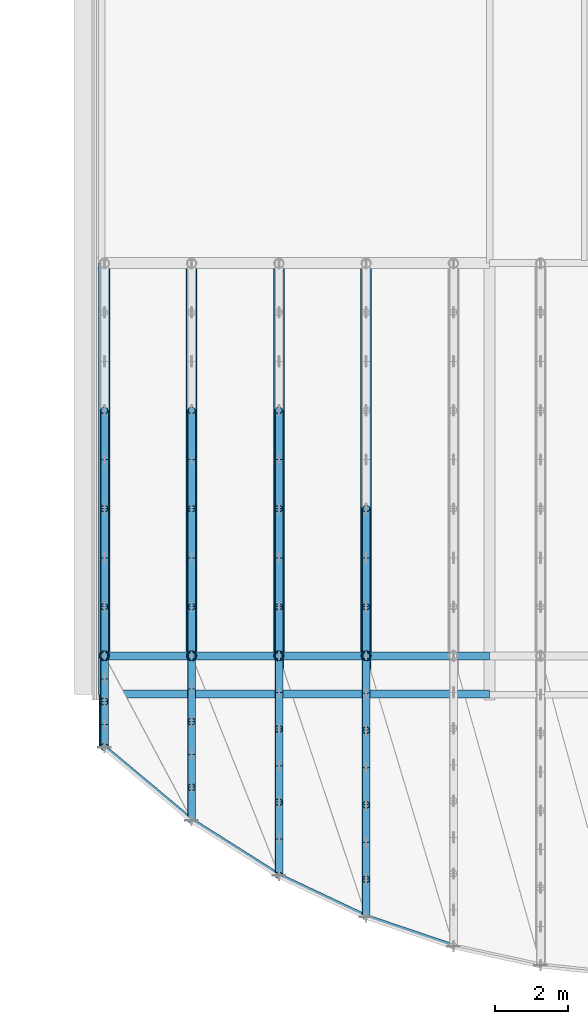
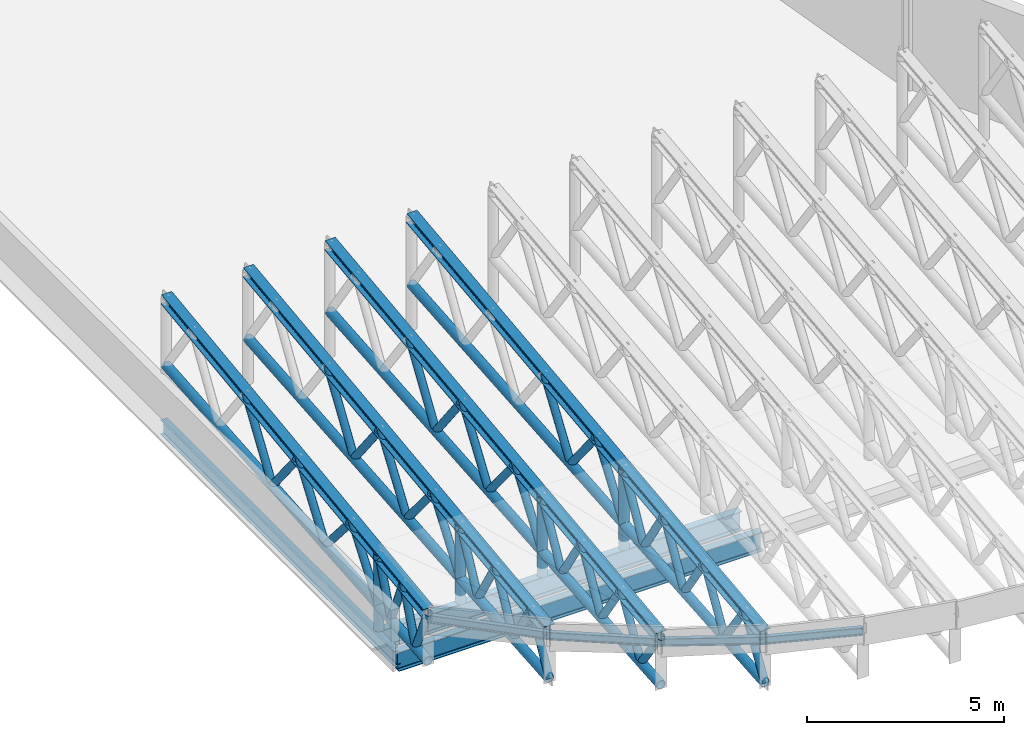
# One storey, part 11 of 58: 48 members, 11 beams.
"""IFC4 building model written with IfcOpenShell, lengths in metres."""

import ifcopenshell
import ifcopenshell.guid

model = None  # the IFC model being written
_history = None  # IfcOwnerHistory: only IFC2X3 demands one
_inside = {}  # id of a spatial element -> (the spatial element, [elements in it])
_under = {}  # id of a project, library or spatial element -> (it, [spatial elements below it])
_declared = {}  # id of a project -> (the project, [libraries it declares])
_typed = {}  # id of a type object -> (the type object, [elements of that type])
_made_of = {}  # id of a material, layer set ... -> (it, [elements and type objects made of it])


def new_model(schema):
    """Start an empty IFC model of exactly this schema.

    Asked for "IFC4X3", IfcOpenShell would pick the latest addendum, in which some entities
    have other attributes; the version numbers below select the first issue.
    IFC2X3 requires an IfcOwnerHistory on every rooted entity: one is made here for all.
    """
    global model, _history
    if schema == "IFC4X3":
        model = ifcopenshell.file(schema_version=(4, 3, 0, 0))
    else:
        model = ifcopenshell.file(schema=schema)
    _inside.clear()
    _under.clear()
    _declared.clear()
    _typed.clear()
    _made_of.clear()
    _history = None
    if model.schema == "IFC2X3":
        org = make("IfcOrganization", Name="unknown")
        user = make(
            "IfcPersonAndOrganization",
            ThePerson=make("IfcPerson", FamilyName="unknown"),
            TheOrganization=org,
        )
        app = make(
            "IfcApplication",
            ApplicationDeveloper=org,
            Version="unknown",
            ApplicationFullName="unknown",
            ApplicationIdentifier="unknown",
        )
        _history = make(
            "IfcOwnerHistory",
            OwningUser=user,
            OwningApplication=app,
            ChangeAction="ADDED",
            CreationDate=0,
        )
    return model


def make(cls, **values):
    """One entity of the class cls with the attributes given. An attribute that is None is left unset."""
    return model.create_entity(
        cls, **{name: value for name, value in values.items() if value is not None}
    )


def rooted(cls, **values):
    """An entity with a GlobalId (a new one), such as an element, a storey or a relation."""
    return make(cls, GlobalId=ifcopenshell.guid.new(), OwnerHistory=_history, **values)


def si_unit(unit_type, name, prefix=None):
    """IfcSIUnit, for example si_unit("LENGTHUNIT", "METRE", prefix="MILLI")."""
    return make("IfcSIUnit", UnitType=unit_type, Prefix=prefix, Name=name)


def assignment(units):
    """IfcUnitAssignment: the units of a project."""
    return None if units is None else make("IfcUnitAssignment", Units=units)


def point(xyz):
    """IfcCartesianPoint."""
    return None if xyz is None else make("IfcCartesianPoint", Coordinates=xyz)


def direction(xyz):
    """IfcDirection."""
    return None if xyz is None else make("IfcDirection", DirectionRatios=xyz)


def frame(location, z_axis=None, x_axis=None):
    """IfcAxis2Placement3D, a coordinate frame: its origin and axes. An axis left out is left unset."""
    return make(
        "IfcAxis2Placement3D",
        Location=point(location),
        Axis=direction(z_axis),
        RefDirection=direction(x_axis),
    )


def frame_2d(location, x_axis=None):
    """IfcAxis2Placement2D, a coordinate frame in the plane: its origin and x axis."""
    return make(
        "IfcAxis2Placement2D", Location=point(location), RefDirection=direction(x_axis)
    )


def origin():
    """The frame at (0, 0, 0) with its axes left unset."""
    return frame((0.0, 0.0, 0.0))


def origin_2d():
    """The frame at (0, 0) in the plane with its x axis left unset."""
    return frame_2d((0.0, 0.0))


def place(relative_to, where):
    """IfcLocalPlacement: puts the frame where relative to a parent placement (None: the world)."""
    return make(
        "IfcLocalPlacement", PlacementRelTo=relative_to, RelativePlacement=where
    )


def context(
    kind, dimensions, precision=None, world=None, true_north=None, identifier=None
):
    """IfcGeometricRepresentationContext, for example the 3D "Model" context."""
    return make(
        "IfcGeometricRepresentationContext",
        ContextIdentifier=identifier,
        ContextType=kind,
        CoordinateSpaceDimension=dimensions,
        Precision=precision,
        WorldCoordinateSystem=world,
        TrueNorth=true_north,
    )


def subcontext(parent, identifier, kind, view, scale=None):
    """IfcGeometricRepresentationSubContext, for example "Body" below "Model"."""
    return make(
        "IfcGeometricRepresentationSubContext",
        ContextIdentifier=identifier,
        ContextType=kind,
        ParentContext=parent,
        TargetScale=scale,
        TargetView=view,
    )


def project(units=None, contexts=None):
    """IfcProject with its units and contexts."""
    return rooted(
        "IfcProject",
        Name="project",
        RepresentationContexts=contexts,
        UnitsInContext=assignment(units),
    )


def spatial(cls, under=None, at=None, **own):
    """A site, building, storey or space (cls), placed at a placement, below another one or the project."""
    s = rooted(cls, ObjectPlacement=at, **own)
    if under is not None:
        _under.setdefault(under.id(), (under, []))[1].append(s)
    return s


def profile(cls, at=None, kind="AREA", **sizes):
    """A parametric profile (cls). Its sizes go by their IFC names, for example OverallWidth=200.0."""
    return make(cls, ProfileType=kind, Position=at, **sizes)


def hollow_circle(**sizes):
    """IfcCircleHollowProfileDef."""
    return profile("IfcCircleHollowProfileDef", **sizes)


def i_section(**sizes):
    """IfcIShapeProfileDef."""
    return profile("IfcIShapeProfileDef", **sizes)


def extrude(swept, where, along, depth):
    """IfcExtrudedAreaSolid: the profile swept, set in the frame where, extruded along a direction by depth."""
    return make(
        "IfcExtrudedAreaSolid",
        SweptArea=swept,
        Position=where,
        ExtrudedDirection=direction(along),
        Depth=depth,
    )


def shape(context_of_items, identifier, shape_type, items):
    """IfcShapeRepresentation: the items that make up one representation, for example the "Body"."""
    return make(
        "IfcShapeRepresentation",
        ContextOfItems=context_of_items,
        RepresentationIdentifier=identifier,
        RepresentationType=shape_type,
        Items=items,
    )


def material(Name=None, Category=None):
    """IfcMaterial."""
    return make("IfcMaterial", Name=Name, Category=Category)


def material_profile(
    of_material, cross_section, Name=None, Category=None, Priority=None
):
    """IfcMaterialProfile: a cross section and its material."""
    return make(
        "IfcMaterialProfile",
        Name=Name,
        Material=of_material,
        Profile=cross_section,
        Priority=Priority,
        Category=Category,
    )


def profile_set(profiles, Name=None, composite=None):
    """IfcMaterialProfileSet."""
    return make(
        "IfcMaterialProfileSet",
        Name=Name,
        MaterialProfiles=profiles,
        CompositeProfile=composite,
    )


def made_of(thing, what):
    """Note that an element or type object is made of a material, layer set ...; save() writes the relation."""
    if what is not None:
        _made_of.setdefault(what.id(), (what, []))[1].append(thing)
    return thing


def type_object(cls, material=None, **own):
    """A type object (cls), such as IfcWallType, which elements share."""
    return made_of(rooted(cls, **own), material)


def element(
    cls,
    number,
    at=None,
    inside=None,
    cuts=None,
    type_object=None,
    material=None,
    context=None,
    identifier="Body",
    shape_type=None,
    held_by="IfcProductDefinitionShape",
    body=None,
    shapes=None,
    **own,
):
    """One element of the class cls, such as IfcWall. Its Tag is "e" and its number.

    at: its placement. inside: the storey or other place that contains it. cuts: it is an
    opening in that element (IfcRelVoidsElement). A single representation is given by context,
    identifier, shape_type and body (its items); several are given by shapes. held_by: the class
    of the entity that holds the representations. save() writes the other relations.
    """
    e = rooted(cls, Tag="e%d" % number, ObjectPlacement=at, **own)
    if body is not None:
        shapes = [shape(context, identifier, shape_type, body)]
    if shapes is not None:
        e.Representation = make(held_by, Representations=shapes)
    if inside is not None:
        _inside.setdefault(inside.id(), (inside, []))[1].append(e)
    if cuts is not None:
        rooted(
            "IfcRelVoidsElement", RelatingBuildingElement=cuts, RelatedOpeningElement=e
        )
    if type_object is not None:
        _typed.setdefault(type_object.id(), (type_object, []))[1].append(e)
    return made_of(e, material)


def aggregate(whole, parts):
    """IfcRelAggregates: a whole, such as a stair, and the parts it consists of."""
    return rooted("IfcRelAggregates", RelatingObject=whole, RelatedObjects=parts)


def save(model, path):
    """Write the relations noted so far, then the file.

    IfcRelAggregates (storeys below a building ...), IfcRelContainedInSpatialStructure (elements
    in a storey), IfcRelDefinesByType, IfcRelAssociatesMaterial and IfcRelDeclares: one each for
    every whole, place, type object, material and project.
    """
    for whole, parts in _under.values():
        aggregate(whole, parts)
    for where, things in _inside.values():
        rooted(
            "IfcRelContainedInSpatialStructure",
            RelatedElements=things,
            RelatingStructure=where,
        )
    for kind, things in _typed.values():
        rooted("IfcRelDefinesByType", RelatedObjects=things, RelatingType=kind)
    for what, things in _made_of.values():
        rooted("IfcRelAssociatesMaterial", RelatedObjects=things, RelatingMaterial=what)
    for by, libraries in _declared.values():
        rooted("IfcRelDeclares", RelatingContext=by, RelatedDefinitions=libraries)
    model.write(path)


model = new_model("IFC4")

# Units and contexts
model_context = context("Model", 3, precision=1e-05, world=origin(), true_north=direction((0.0, 1.0)))
body_context = subcontext(model_context, "Body", "Model", "MODEL_VIEW")
ifc_project = project(units=[si_unit("LENGTHUNIT", "METRE"), si_unit("AREAUNIT", "SQUARE_METRE"), si_unit("VOLUMEUNIT", "CUBIC_METRE"), si_unit("PLANEANGLEUNIT", "RADIAN"), si_unit("MASSUNIT", "GRAM", prefix="KILO")], contexts=[model_context])

# Site, building, storey
site_placement = place(None, origin())
site = spatial("IfcSite", under=ifc_project, at=site_placement, CompositionType="ELEMENT")
building_placement = place(site_placement, origin())
building = spatial("IfcBuilding", under=site, at=building_placement, Name="Sefraquen Railside Congress Hotel", CompositionType="ELEMENT")
storey_placement = place(building_placement, frame((0.0, 0.0, 16.199951171875)))
storey = spatial("IfcBuildingStorey", under=building, at=storey_placement, Name="L03", CompositionType="ELEMENT", Elevation=16.199951171875)

# Beams
ifc_material_1 = material(Name="Steel S355JR", Category="steel")
ifc_material_profile_1 = material_profile(ifc_material_1, i_section(OverallWidth=0.18994140625, OverallDepth=0.449951171875, WebThickness=0.009521484375, FlangeThickness=0.0146484375, FilletRadius=0.02099609375, at=origin_2d()), Name="IPE 450")
ifc_profile_set_1 = profile_set([ifc_material_profile_1], Name="Steel S355JR")
beam_type_1 = type_object("IfcBeamType", Name="TB-BM-450", PredefinedType="BEAM", material=ifc_profile_set_1)
beam_1_placement = place(storey_placement, frame((22.328125, 6.128173828125, -0.5048828125), z_axis=(0.0, 1.0, 0.0), x_axis=(-1.0, 0.0, 0.0)))
element("IfcBeam", 1, at=beam_1_placement, inside=storey, type_object=beam_type_1, Name="Congress leaning-hull west edge beam L03-01", PredefinedType="BEAM", context=body_context, shape_type="SweptSolid", body=[
    extrude(i_section(OverallWidth=0.18994140625, OverallDepth=0.449951171875, WebThickness=0.009521484375, FlangeThickness=0.0146484375, FilletRadius=0.02099609375, at=origin_2d()), origin(), (0.0, 0.0, 1.0), 11.871826171875),
])
ifc_material_2 = material(Name="Steel S355J2", Category="steel")
ifc_material_profile_2 = material_profile(ifc_material_2, hollow_circle(Radius=0.136474609375, WallThickness=0.012451171875, at=origin_2d()), Name="CHS 273x12.5")
ifc_profile_set_2 = profile_set([ifc_material_profile_2], Name="Steel S355J2")
beam_type_2 = type_object("IfcBeamType", Name="TB-CANT-BOT", PredefinedType="BEAM", material=ifc_profile_set_2)
beam_2_placement = place(storey_placement, frame((22.39990234375, 18.0, 1.35009765625), z_axis=(0.0, -0.996597739239, -0.082419331132), x_axis=(1.0, 0.0, 0.0)))
element("IfcBeam", 2, at=beam_2_placement, inside=storey, type_object=beam_type_2, Name="Canopy cantilever truss continuous bottom chord 01", PredefinedType="BEAM", context=body_context, shape_type="SweptSolid", body=[
    extrude(hollow_circle(Radius=0.136474609375, WallThickness=0.012451171875, at=origin_2d()), origin(), (0.0, 0.0, 1.0), 13.359375),
])
beam_3_placement = place(storey_placement, frame((24.800048828125, 18.0, 1.35009765625), z_axis=(0.0, -0.99662492524, -0.082089940858), x_axis=(1.0, 0.0, 0.0)))
element("IfcBeam", 3, at=beam_3_placement, inside=storey, type_object=beam_type_2, Name="Canopy cantilever truss continuous bottom chord 02", PredefinedType="BEAM", context=body_context, shape_type="SweptSolid", body=[
    extrude(hollow_circle(Radius=0.136474609375, WallThickness=0.012451171875, at=origin_2d()), origin(), (0.0, 0.0, 1.0), 15.373046875),
])
beam_4_placement = place(storey_placement, frame((27.199951171875, 18.0, 1.35009765625), z_axis=(0.0, -0.996644006769, -0.081857948739), x_axis=(1.0, 0.0, 0.0)))
element("IfcBeam", 4, at=beam_4_placement, inside=storey, type_object=beam_type_2, Name="Canopy cantilever truss continuous bottom chord 03", PredefinedType="BEAM", context=body_context, shape_type="SweptSolid", body=[
    extrude(hollow_circle(Radius=0.136474609375, WallThickness=0.012451171875, at=origin_2d()), origin(), (0.0, 0.0, 1.0), 16.895751953125),
])
beam_5_placement = place(storey_placement, frame((29.60009765625, 18.0, 1.35009765625), z_axis=(0.0, -0.996653309501, -0.081744606311), x_axis=(1.0, 0.0, 0.0)))
element("IfcBeam", 5, at=beam_5_placement, inside=storey, type_object=beam_type_2, Name="Canopy cantilever truss continuous bottom chord 04", PredefinedType="BEAM", context=body_context, shape_type="SweptSolid", body=[
    extrude(hollow_circle(Radius=0.136474609375, WallThickness=0.012451171875, at=origin_2d()), origin(), (0.0, 0.0, 1.0), 18.033203125),
])
ifc_material_profile_3 = material_profile(ifc_material_1, i_section(OverallWidth=0.300048828125, OverallDepth=0.31005859375, WebThickness=0.009033203125, FlangeThickness=0.015380859375, FilletRadius=0.027099609375, at=origin_2d()), Name="HEA 320")
ifc_profile_set_3 = profile_set([ifc_material_profile_3], Name="Steel S355JR")
beam_type_3 = type_object("IfcBeamType", Name="TB-CANT-TOP", PredefinedType="BEAM", material=ifc_profile_set_3)
beam_6_placement = place(storey_placement, frame((22.39990234375, 18.0, 3.449951171875), z_axis=(0.0, -0.991937865042, -0.12672518256), x_axis=(1.0, 0.0, 0.0)))
element("IfcBeam", 6, at=beam_6_placement, inside=storey, type_object=beam_type_3, Name="Canopy cantilever truss continuous top chord 01", PredefinedType="BEAM", context=body_context, shape_type="SweptSolid", body=[
    extrude(i_section(OverallWidth=0.300048828125, OverallDepth=0.31005859375, WebThickness=0.009033203125, FlangeThickness=0.015380859375, FilletRadius=0.027099609375, at=origin_2d()), origin(), (0.0, 0.0, 1.0), 13.422119140625),
])
beam_7_placement = place(storey_placement, frame((24.800048828125, 18.0, 3.449951171875), z_axis=(0.0, -0.992697203153, -0.120632760278), x_axis=(1.0, 0.0, 0.0)))
element("IfcBeam", 7, at=beam_7_placement, inside=storey, type_object=beam_type_3, Name="Canopy cantilever truss continuous top chord 02", PredefinedType="BEAM", context=body_context, shape_type="SweptSolid", body=[
    extrude(i_section(OverallWidth=0.300048828125, OverallDepth=0.31005859375, WebThickness=0.009033203125, FlangeThickness=0.015380859375, FilletRadius=0.027099609375, at=origin_2d()), origin(), (0.0, 0.0, 1.0), 15.433837890625),
])
beam_8_placement = place(storey_placement, frame((27.199951171875, 18.0, 3.449951171875), z_axis=(0.0, -0.993138017923, -0.116948182355), x_axis=(1.0, 0.0, 0.0)))
element("IfcBeam", 8, at=beam_8_placement, inside=storey, type_object=beam_type_3, Name="Canopy cantilever truss continuous top chord 03", PredefinedType="BEAM", context=body_context, shape_type="SweptSolid", body=[
    extrude(i_section(OverallWidth=0.300048828125, OverallDepth=0.31005859375, WebThickness=0.009033203125, FlangeThickness=0.015380859375, FilletRadius=0.027099609375, at=origin_2d()), origin(), (0.0, 0.0, 1.0), 16.95556640625),
])
beam_9_placement = place(storey_placement, frame((29.60009765625, 18.0, 3.449951171875), z_axis=(0.0, -0.993407812942, -0.114633839615), x_axis=(1.0, 0.0, 0.0)))
element("IfcBeam", 9, at=beam_9_placement, inside=storey, type_object=beam_type_3, Name="Canopy cantilever truss continuous top chord 04", PredefinedType="BEAM", context=body_context, shape_type="SweptSolid", body=[
    extrude(i_section(OverallWidth=0.300048828125, OverallDepth=0.31005859375, WebThickness=0.009033203125, FlangeThickness=0.015380859375, FilletRadius=0.027099609375, at=origin_2d()), origin(), (0.0, 0.0, 1.0), 18.09228515625),
])
ifc_material_profile_4 = material_profile(ifc_material_1, i_section(OverallWidth=0.219970703125, OverallDepth=0.60009765625, WebThickness=0.011962890625, FlangeThickness=0.01904296875, FilletRadius=0.02392578125, at=origin_2d()), Name="IPE 600")
ifc_profile_set_4 = profile_set([ifc_material_profile_4], Name="Steel S355JR")
beam_type_4 = type_object("IfcBeamType", Name="TB-GIR-600", PredefinedType="T_BEAM", material=ifc_profile_set_4)
for number, where, z_axis, x_axis, name in (
    (10, (22.328125, 6.150390625, -0.579833984375), (1.0, 0.0, 0.0), (0.0, 1.0, 0.0), "Congress leaning-hull south edge beam L03-01"),
    (11, (22.328125, 7.199951171875, -0.579833984375), (1.0, 0.0, 0.0), (0.0, 1.0, 0.0), "Canopy L03 fulcrum header girder 01"),
):
    element("IfcBeam", number, at=place(storey_placement, frame(where, z_axis=z_axis, x_axis=x_axis)), inside=storey, type_object=beam_type_4, Name=name, PredefinedType="T_BEAM", context=body_context, shape_type="SweptSolid", body=[
        extrude(i_section(OverallWidth=0.219970703125, OverallDepth=0.60009765625, WebThickness=0.011962890625, FlangeThickness=0.01904296875, FilletRadius=0.02392578125, at=origin_2d()), origin(), (0.0, 0.0, 1.0), 10.671875),
    ])

# Members
ifc_material_profile_5 = material_profile(ifc_material_2, hollow_circle(Radius=0.109619140625, WallThickness=0.010009765625, at=origin_2d()), Name="CHS 219.1x10")
ifc_profile_set_5 = profile_set([ifc_material_profile_5], Name="Steel S355J2")
member_type_1 = type_object("IfcMemberType", Name="TM-BR-219", PredefinedType="BRACE", material=ifc_profile_set_5)
member_1_placement = place(storey_placement, frame((22.39990234375, 13.949951171875, 2.9326171875), z_axis=(0.0, -0.55389079425, -0.832589327367), x_axis=(1.0, 0.0, 0.0)))
element("IfcMember", 12, at=member_1_placement, inside=storey, type_object=member_type_1, Name="Canopy cantilever truss web diagonal 01.04", PredefinedType="BRACE", context=body_context, shape_type="SweptSolid", body=[
    extrude(hollow_circle(Radius=0.109619140625, WallThickness=0.010009765625, at=origin_2d()), origin(), (0.0, 0.0, 1.0), 2.43701171875),
])
member_2_placement = place(storey_placement, frame((22.39990234375, 12.60009765625, 0.903564453125), z_axis=(0.0, -0.625494761496, 0.780228366148), x_axis=(1.0, 0.0, 0.0)))
element("IfcMember", 13, at=member_2_placement, inside=storey, type_object=member_type_1, Name="Canopy cantilever truss web diagonal 01.05", PredefinedType="BRACE", context=body_context, shape_type="SweptSolid", body=[
    extrude(hollow_circle(Radius=0.109619140625, WallThickness=0.010009765625, at=origin_2d()), origin(), (0.0, 0.0, 1.0), 2.158447265625),
])
member_3_placement = place(storey_placement, frame((22.39990234375, 11.25, 2.587646484375), z_axis=(0.0, -0.577724543274, -0.81623180047), x_axis=(1.0, 0.0, 0.0)))
element("IfcMember", 14, at=member_3_placement, inside=storey, type_object=member_type_1, Name="Canopy cantilever truss web diagonal 01.06", PredefinedType="BRACE", context=body_context, shape_type="SweptSolid", body=[
    extrude(hollow_circle(Radius=0.109619140625, WallThickness=0.010009765625, at=origin_2d()), origin(), (0.0, 0.0, 1.0), 2.3369140625),
])
member_4_placement = place(storey_placement, frame((22.39990234375, 9.89990234375, 0.68017578125), z_axis=(0.0, -0.653736841009, 0.756721971868), x_axis=(1.0, 0.0, 0.0)))
element("IfcMember", 15, at=member_4_placement, inside=storey, type_object=member_type_1, Name="Canopy cantilever truss web diagonal 01.07", PredefinedType="BRACE", context=body_context, shape_type="SweptSolid", body=[
    extrude(hollow_circle(Radius=0.109619140625, WallThickness=0.010009765625, at=origin_2d()), origin(), (0.0, 0.0, 1.0), 2.06494140625),
])
member_5_placement = place(storey_placement, frame((22.39990234375, 8.550048828125, 2.24267578125), z_axis=(0.0, -0.603101505043, -0.797664449888), x_axis=(1.0, 0.0, 0.0)))
element("IfcMember", 16, at=member_5_placement, inside=storey, type_object=member_type_1, Name="Canopy cantilever truss web diagonal 01.08", PredefinedType="BRACE", context=body_context, shape_type="SweptSolid", body=[
    extrude(hollow_circle(Radius=0.109619140625, WallThickness=0.010009765625, at=origin_2d()), origin(), (0.0, 0.0, 1.0), 2.238525390625),
])
member_6_placement = place(storey_placement, frame((22.39990234375, 7.199951171875, 2.0703125), z_axis=(0.0, -0.353061783266, -0.93560000919), x_axis=(1.0, 0.0, 0.0)))
element("IfcMember", 17, at=member_6_placement, inside=storey, type_object=member_type_1, Name="Canopy cantilever truss web diagonal 01.09", PredefinedType="BRACE", context=body_context, shape_type="SweptSolid", body=[
    extrude(hollow_circle(Radius=0.109619140625, WallThickness=0.010009765625, at=origin_2d()), origin(), (0.0, 0.0, 1.0), 1.780029296875),
])
member_7_placement = place(storey_placement, frame((22.39990234375, 6.571533203125, 0.405029296875), z_axis=(0.0, -0.385391336388, 0.922753226945), x_axis=(1.0, 0.0, 0.0)))
element("IfcMember", 18, at=member_7_placement, inside=storey, type_object=member_type_1, Name="Canopy cantilever truss web diagonal 01.10", PredefinedType="BRACE", context=body_context, shape_type="SweptSolid", body=[
    extrude(hollow_circle(Radius=0.109619140625, WallThickness=0.010009765625, at=origin_2d()), origin(), (0.0, 0.0, 1.0), 1.630615234375),
])
member_8_placement = place(storey_placement, frame((22.39990234375, 5.943115234375, 1.90966796875), z_axis=(0.0, -0.363994245229, -0.931401196821), x_axis=(1.0, 0.0, 0.0)))
element("IfcMember", 19, at=member_8_placement, inside=storey, type_object=member_type_1, Name="Canopy cantilever truss web diagonal 01.11", PredefinedType="BRACE", context=body_context, shape_type="SweptSolid", body=[
    extrude(hollow_circle(Radius=0.109619140625, WallThickness=0.010009765625, at=origin_2d()), origin(), (0.0, 0.0, 1.0), 1.72705078125),
])
member_9_placement = place(storey_placement, frame((22.39990234375, 5.314453125, 0.301025390625), z_axis=(0.0, -0.398115219943, 0.91733541938), x_axis=(1.0, 0.0, 0.0)))
element("IfcMember", 20, at=member_9_placement, inside=storey, type_object=member_type_1, Name="Canopy cantilever truss web diagonal 01.12", PredefinedType="BRACE", context=body_context, shape_type="SweptSolid", body=[
    extrude(hollow_circle(Radius=0.109619140625, WallThickness=0.010009765625, at=origin_2d()), origin(), (0.0, 0.0, 1.0), 1.578369140625),
])
member_10_placement = place(storey_placement, frame((24.800048828125, 13.949951171875, 2.957763671875), z_axis=(0.0, -0.549483248592, -0.83550473339), x_axis=(1.0, 0.0, 0.0)))
element("IfcMember", 21, at=member_10_placement, inside=storey, type_object=member_type_1, Name="Canopy cantilever truss web diagonal 02.04", PredefinedType="BRACE", context=body_context, shape_type="SweptSolid", body=[
    extrude(hollow_circle(Radius=0.109619140625, WallThickness=0.010009765625, at=origin_2d()), origin(), (0.0, 0.0, 1.0), 2.45654296875),
])
member_11_placement = place(storey_placement, frame((24.800048828125, 12.60009765625, 0.9052734375), z_axis=(0.0, -0.616476576322, 0.78737324748), x_axis=(1.0, 0.0, 0.0)))
element("IfcMember", 22, at=member_11_placement, inside=storey, type_object=member_type_1, Name="Canopy cantilever truss web diagonal 02.05", PredefinedType="BRACE", context=body_context, shape_type="SweptSolid", body=[
    extrude(hollow_circle(Radius=0.109619140625, WallThickness=0.010009765625, at=origin_2d()), origin(), (0.0, 0.0, 1.0), 2.18994140625),
])
member_12_placement = place(storey_placement, frame((24.800048828125, 11.25, 2.629638671875), z_axis=(0.0, -0.569874268399, -0.821731901666), x_axis=(1.0, 0.0, 0.0)))
element("IfcMember", 23, at=member_12_placement, inside=storey, type_object=member_type_1, Name="Canopy cantilever truss web diagonal 02.06", PredefinedType="BRACE", context=body_context, shape_type="SweptSolid", body=[
    extrude(hollow_circle(Radius=0.109619140625, WallThickness=0.010009765625, at=origin_2d()), origin(), (0.0, 0.0, 1.0), 2.369140625),
])
member_13_placement = place(storey_placement, frame((24.800048828125, 9.89990234375, 0.682861328125), z_axis=(0.0, -0.640457808267, 0.767993356631), x_axis=(1.0, 0.0, 0.0)))
element("IfcMember", 24, at=member_13_placement, inside=storey, type_object=member_type_1, Name="Canopy cantilever truss web diagonal 02.07", PredefinedType="BRACE", context=body_context, shape_type="SweptSolid", body=[
    extrude(hollow_circle(Radius=0.109619140625, WallThickness=0.010009765625, at=origin_2d()), origin(), (0.0, 0.0, 1.0), 2.107666015625),
])
member_14_placement = place(storey_placement, frame((24.800048828125, 8.550048828125, 2.301513671875), z_axis=(0.0, -0.591359027641, -0.806408395559), x_axis=(1.0, 0.0, 0.0)))
element("IfcMember", 25, at=member_14_placement, inside=storey, type_object=member_type_1, Name="Canopy cantilever truss web diagonal 02.08", PredefinedType="BRACE", context=body_context, shape_type="SweptSolid", body=[
    extrude(hollow_circle(Radius=0.109619140625, WallThickness=0.010009765625, at=origin_2d()), origin(), (0.0, 0.0, 1.0), 2.282958984375),
])
member_15_placement = place(storey_placement, frame((24.800048828125, 7.199951171875, 2.137451171875), z_axis=(0.0, -0.458671315819, -0.888606000455), x_axis=(1.0, 0.0, 0.0)))
element("IfcMember", 26, at=member_15_placement, inside=storey, type_object=member_type_1, Name="Canopy cantilever truss web diagonal 02.09", PredefinedType="BRACE", context=body_context, shape_type="SweptSolid", body=[
    extrude(hollow_circle(Radius=0.109619140625, WallThickness=0.010009765625, at=origin_2d()), origin(), (0.0, 0.0, 1.0), 1.970947265625),
])
member_16_placement = place(storey_placement, frame((24.800048828125, 6.2958984375, 0.385986328125), z_axis=(0.0, -0.508387083963, 0.861128662198), x_axis=(1.0, 0.0, 0.0)))
element("IfcMember", 27, at=member_16_placement, inside=storey, type_object=member_type_1, Name="Canopy cantilever truss web diagonal 02.10", PredefinedType="BRACE", context=body_context, shape_type="SweptSolid", body=[
    extrude(hollow_circle(Radius=0.109619140625, WallThickness=0.010009765625, at=origin_2d()), origin(), (0.0, 0.0, 1.0), 1.77880859375),
])
member_17_placement = place(storey_placement, frame((24.800048828125, 5.3916015625, 1.917724609375), z_axis=(0.0, -0.473825177222, -0.880618930884), x_axis=(1.0, 0.0, 0.0)))
element("IfcMember", 28, at=member_17_placement, inside=storey, type_object=member_type_1, Name="Canopy cantilever truss web diagonal 02.11", PredefinedType="BRACE", context=body_context, shape_type="SweptSolid", body=[
    extrude(hollow_circle(Radius=0.109619140625, WallThickness=0.010009765625, at=origin_2d()), origin(), (0.0, 0.0, 1.0), 1.908447265625),
])
member_18_placement = place(storey_placement, frame((24.800048828125, 4.4873046875, 0.237060546875), z_axis=(0.0, -0.526212735809, 0.850352960054), x_axis=(1.0, 0.0, 0.0)))
element("IfcMember", 29, at=member_18_placement, inside=storey, type_object=member_type_1, Name="Canopy cantilever truss web diagonal 02.12", PredefinedType="BRACE", context=body_context, shape_type="SweptSolid", body=[
    extrude(hollow_circle(Radius=0.109619140625, WallThickness=0.010009765625, at=origin_2d()), origin(), (0.0, 0.0, 1.0), 1.718017578125),
])
member_19_placement = place(storey_placement, frame((24.800048828125, 3.583251953125, 1.697998046875), z_axis=(0.0, -0.489746394824, -0.871864937222), x_axis=(1.0, 0.0, 0.0)))
element("IfcMember", 30, at=member_19_placement, inside=storey, type_object=member_type_1, Name="Canopy cantilever truss web diagonal 02.13", PredefinedType="BRACE", context=body_context, shape_type="SweptSolid", body=[
    extrude(hollow_circle(Radius=0.109619140625, WallThickness=0.010009765625, at=origin_2d()), origin(), (0.0, 0.0, 1.0), 1.846435546875),
])
member_20_placement = place(storey_placement, frame((27.199951171875, 13.949951171875, 2.97314453125), z_axis=(0.0, -0.546846914391, -0.837232615359), x_axis=(1.0, 0.0, 0.0)))
element("IfcMember", 31, at=member_20_placement, inside=storey, type_object=member_type_1, Name="Canopy cantilever truss web diagonal 03.04", PredefinedType="BRACE", context=body_context, shape_type="SweptSolid", body=[
    extrude(hollow_circle(Radius=0.109619140625, WallThickness=0.010009765625, at=origin_2d()), origin(), (0.0, 0.0, 1.0), 2.468505859375),
])
member_21_placement = place(storey_placement, frame((27.199951171875, 12.60009765625, 0.906494140625), z_axis=(0.0, -0.611151796739, 0.791513411979), x_axis=(1.0, 0.0, 0.0)))
element("IfcMember", 32, at=member_21_placement, inside=storey, type_object=member_type_1, Name="Canopy cantilever truss web diagonal 03.05", PredefinedType="BRACE", context=body_context, shape_type="SweptSolid", body=[
    extrude(hollow_circle(Radius=0.109619140625, WallThickness=0.010009765625, at=origin_2d()), origin(), (0.0, 0.0, 1.0), 2.208984375),
])
member_22_placement = place(storey_placement, frame((27.199951171875, 11.25, 2.655029296875), z_axis=(0.0, -0.565270084829, -0.824905892328), x_axis=(1.0, 0.0, 0.0)))
element("IfcMember", 33, at=member_22_placement, inside=storey, type_object=member_type_1, Name="Canopy cantilever truss web diagonal 03.06", PredefinedType="BRACE", context=body_context, shape_type="SweptSolid", body=[
    extrude(hollow_circle(Radius=0.109619140625, WallThickness=0.010009765625, at=origin_2d()), origin(), (0.0, 0.0, 1.0), 2.388427734375),
])
member_23_placement = place(storey_placement, frame((27.199951171875, 9.89990234375, 0.684814453125), z_axis=(0.0, -0.632658121669, 0.774431211333), x_axis=(1.0, 0.0, 0.0)))
element("IfcMember", 34, at=member_23_placement, inside=storey, type_object=member_type_1, Name="Canopy cantilever truss web diagonal 03.07", PredefinedType="BRACE", context=body_context, shape_type="SweptSolid", body=[
    extrude(hollow_circle(Radius=0.109619140625, WallThickness=0.010009765625, at=origin_2d()), origin(), (0.0, 0.0, 1.0), 2.133544921875),
])
member_24_placement = place(storey_placement, frame((27.199951171875, 8.550048828125, 2.337158203125), z_axis=(0.0, -0.58453303724, -0.811369908473), x_axis=(1.0, 0.0, 0.0)))
element("IfcMember", 35, at=member_24_placement, inside=storey, type_object=member_type_1, Name="Canopy cantilever truss web diagonal 03.08", PredefinedType="BRACE", context=body_context, shape_type="SweptSolid", body=[
    extrude(hollow_circle(Radius=0.109619140625, WallThickness=0.010009765625, at=origin_2d()), origin(), (0.0, 0.0, 1.0), 2.309814453125),
])
member_25_placement = place(storey_placement, frame((27.199951171875, 7.199951171875, 2.17822265625), z_axis=(0.0, -0.488437380156, -0.872598948926), x_axis=(1.0, 0.0, 0.0)))
element("IfcMember", 36, at=member_25_placement, inside=storey, type_object=member_type_1, Name="Canopy cantilever truss web diagonal 03.09", PredefinedType="BRACE", context=body_context, shape_type="SweptSolid", body=[
    extrude(hollow_circle(Radius=0.109619140625, WallThickness=0.010009765625, at=origin_2d()), origin(), (0.0, 0.0, 1.0), 2.060302734375),
])
member_26_placement = place(storey_placement, frame((27.199951171875, 6.193603515625, 0.38037109375), z_axis=(0.0, -0.541986135596, 0.840387427811), x_axis=(1.0, 0.0, 0.0)))
element("IfcMember", 37, at=member_26_placement, inside=storey, type_object=member_type_1, Name="Canopy cantilever truss web diagonal 03.10", PredefinedType="BRACE", context=body_context, shape_type="SweptSolid", body=[
    extrude(hollow_circle(Radius=0.109619140625, WallThickness=0.010009765625, at=origin_2d()), origin(), (0.0, 0.0, 1.0), 1.857177734375),
])
member_27_placement = place(storey_placement, frame((27.199951171875, 5.18701171875, 1.941162109375), z_axis=(0.0, -0.503764664641, -0.863840935971), x_axis=(1.0, 0.0, 0.0)))
element("IfcMember", 38, at=member_27_placement, inside=storey, type_object=member_type_1, Name="Canopy cantilever truss web diagonal 03.11", PredefinedType="BRACE", context=body_context, shape_type="SweptSolid", body=[
    extrude(hollow_circle(Radius=0.109619140625, WallThickness=0.010009765625, at=origin_2d()), origin(), (0.0, 0.0, 1.0), 1.998046875),
])
member_28_placement = place(storey_placement, frame((27.199951171875, 4.180419921875, 0.215087890625), z_axis=(0.0, -0.559955714887, 0.82852253884), x_axis=(1.0, 0.0, 0.0)))
element("IfcMember", 39, at=member_28_placement, inside=storey, type_object=member_type_1, Name="Canopy cantilever truss web diagonal 03.12", PredefinedType="BRACE", context=body_context, shape_type="SweptSolid", body=[
    extrude(hollow_circle(Radius=0.109619140625, WallThickness=0.010009765625, at=origin_2d()), origin(), (0.0, 0.0, 1.0), 1.797119140625),
])
member_29_placement = place(storey_placement, frame((27.199951171875, 3.174072265625, 1.7041015625), z_axis=(0.0, -0.519806953263, -0.85428375341), x_axis=(1.0, 0.0, 0.0)))
element("IfcMember", 40, at=member_29_placement, inside=storey, type_object=member_type_1, Name="Canopy cantilever truss web diagonal 03.13", PredefinedType="BRACE", context=body_context, shape_type="SweptSolid", body=[
    extrude(hollow_circle(Radius=0.109619140625, WallThickness=0.010009765625, at=origin_2d()), origin(), (0.0, 0.0, 1.0), 1.9365234375),
])
member_30_placement = place(storey_placement, frame((27.199951171875, 2.16748046875, 0.0498046875), z_axis=(0.0, -0.579057305125, 0.815286843621), x_axis=(1.0, 0.0, 0.0)))
element("IfcMember", 41, at=member_30_placement, inside=storey, type_object=member_type_1, Name="Canopy cantilever truss web diagonal 03.14", PredefinedType="BRACE", context=body_context, shape_type="SweptSolid", body=[
    extrude(hollow_circle(Radius=0.109619140625, WallThickness=0.010009765625, at=origin_2d()), origin(), (0.0, 0.0, 1.0), 1.73828125),
])
member_31_placement = place(storey_placement, frame((29.60009765625, 11.25, 2.671142578125), z_axis=(0.0, -0.56232670946, -0.826915153947), x_axis=(1.0, 0.0, 0.0)))
element("IfcMember", 42, at=member_31_placement, inside=storey, type_object=member_type_1, Name="Canopy cantilever truss web diagonal 04.06", PredefinedType="BRACE", context=body_context, shape_type="SweptSolid", body=[
    extrude(hollow_circle(Radius=0.109619140625, WallThickness=0.010009765625, at=origin_2d()), origin(), (0.0, 0.0, 1.0), 2.40087890625),
])
member_32_placement = place(storey_placement, frame((29.60009765625, 9.89990234375, 0.685791015625), z_axis=(0.0, -0.627750231975, 0.778414829159), x_axis=(1.0, 0.0, 0.0)))
element("IfcMember", 43, at=member_32_placement, inside=storey, type_object=member_type_1, Name="Canopy cantilever truss web diagonal 04.07", PredefinedType="BRACE", context=body_context, shape_type="SweptSolid", body=[
    extrude(hollow_circle(Radius=0.109619140625, WallThickness=0.010009765625, at=origin_2d()), origin(), (0.0, 0.0, 1.0), 2.150390625),
])
member_33_placement = place(storey_placement, frame((29.60009765625, 8.550048828125, 2.359619140625), z_axis=(0.0, -0.580195627794, -0.814477153448), x_axis=(1.0, 0.0, 0.0)))
element("IfcMember", 44, at=member_33_placement, inside=storey, type_object=member_type_1, Name="Canopy cantilever truss web diagonal 04.08", PredefinedType="BRACE", context=body_context, shape_type="SweptSolid", body=[
    extrude(hollow_circle(Radius=0.109619140625, WallThickness=0.010009765625, at=origin_2d()), origin(), (0.0, 0.0, 1.0), 2.326904296875),
])
member_34_placement = place(storey_placement, frame((29.60009765625, 7.199951171875, 2.203857421875), z_axis=(0.0, -0.489878818002, -0.871790538875), x_axis=(1.0, 0.0, 0.0)))
element("IfcMember", 45, at=member_34_placement, inside=storey, type_object=member_type_1, Name="Canopy cantilever truss web diagonal 04.09", PredefinedType="BRACE", context=body_context, shape_type="SweptSolid", body=[
    extrude(hollow_circle(Radius=0.109619140625, WallThickness=0.010009765625, at=origin_2d()), origin(), (0.0, 0.0, 1.0), 2.091552734375),
])
member_35_placement = place(storey_placement, frame((29.60009765625, 6.17529296875, 0.38037109375), z_axis=(0.0, -0.542441825199, 0.840093367594), x_axis=(1.0, 0.0, 0.0)))
element("IfcMember", 46, at=member_35_placement, inside=storey, type_object=member_type_1, Name="Canopy cantilever truss web diagonal 04.10", PredefinedType="BRACE", context=body_context, shape_type="SweptSolid", body=[
    extrude(hollow_circle(Radius=0.109619140625, WallThickness=0.010009765625, at=origin_2d()), origin(), (0.0, 0.0, 1.0), 1.888916015625),
])
member_36_placement = place(storey_placement, frame((29.60009765625, 5.150634765625, 1.96728515625), z_axis=(0.0, -0.504177226901, -0.863600210673), x_axis=(1.0, 0.0, 0.0)))
element("IfcMember", 47, at=member_36_placement, inside=storey, type_object=member_type_1, Name="Canopy cantilever truss web diagonal 04.11", PredefinedType="BRACE", context=body_context, shape_type="SweptSolid", body=[
    extrude(hollow_circle(Radius=0.109619140625, WallThickness=0.010009765625, at=origin_2d()), origin(), (0.0, 0.0, 1.0), 2.0322265625),
])
member_37_placement = place(storey_placement, frame((29.60009765625, 4.1259765625, 0.212158203125), z_axis=(0.0, -0.559427079865, 0.828879570453), x_axis=(1.0, 0.0, 0.0)))
element("IfcMember", 48, at=member_37_placement, inside=storey, type_object=member_type_1, Name="Canopy cantilever truss web diagonal 04.12", PredefinedType="BRACE", context=body_context, shape_type="SweptSolid", body=[
    extrude(hollow_circle(Radius=0.109619140625, WallThickness=0.010009765625, at=origin_2d()), origin(), (0.0, 0.0, 1.0), 1.83203125),
])
member_38_placement = place(storey_placement, frame((29.60009765625, 3.10107421875, 1.730712890625), z_axis=(0.0, -0.519236380837, -0.854630669246), x_axis=(1.0, 0.0, 0.0)))
element("IfcMember", 49, at=member_38_placement, inside=storey, type_object=member_type_1, Name="Canopy cantilever truss web diagonal 04.13", PredefinedType="BRACE", context=body_context, shape_type="SweptSolid", body=[
    extrude(hollow_circle(Radius=0.109619140625, WallThickness=0.010009765625, at=origin_2d()), origin(), (0.0, 0.0, 1.0), 1.973388671875),
])
member_39_placement = place(storey_placement, frame((29.60009765625, 2.076416015625, 0.044189453125), z_axis=(0.0, -0.577120408975, 0.816659068121), x_axis=(1.0, 0.0, 0.0)))
element("IfcMember", 50, at=member_39_placement, inside=storey, type_object=member_type_1, Name="Canopy cantilever truss web diagonal 04.14", PredefinedType="BRACE", context=body_context, shape_type="SweptSolid", body=[
    extrude(hollow_circle(Radius=0.109619140625, WallThickness=0.010009765625, at=origin_2d()), origin(), (0.0, 0.0, 1.0), 1.775390625),
])
member_40_placement = place(storey_placement, frame((29.60009765625, 1.0517578125, 1.494140625), z_axis=(0.0, -0.534985363242, -0.84486132656), x_axis=(1.0, 0.0, 0.0)))
element("IfcMember", 51, at=member_40_placement, inside=storey, type_object=member_type_1, Name="Canopy cantilever truss web diagonal 04.15", PredefinedType="BRACE", context=body_context, shape_type="SweptSolid", body=[
    extrude(hollow_circle(Radius=0.109619140625, WallThickness=0.010009765625, at=origin_2d()), origin(), (0.0, 0.0, 1.0), 1.915283203125),
])
ifc_material_profile_6 = material_profile(ifc_material_2, hollow_circle(Radius=0.136474609375, WallThickness=0.012451171875, at=origin_2d()), Name="CHS 273x12.5")
ifc_profile_set_6 = profile_set([ifc_material_profile_6], Name="Steel S355J2")
member_type_2 = type_object("IfcMemberType", Name="TM-CANT-CHORD", PredefinedType="CHORD", material=ifc_profile_set_6)
member_41_placement = place(storey_placement, frame((22.39990234375, 7.199951171875, -0.280029296875), z_axis=(0.0, 0.0, 1.0), x_axis=(1.0, 0.0, 0.0)))
element("IfcMember", 52, at=member_41_placement, inside=storey, type_object=member_type_2, Name="Canopy truss fulcrum post B-01", PredefinedType="CHORD", context=body_context, shape_type="SweptSolid", body=[
    extrude(hollow_circle(Radius=0.136474609375, WallThickness=0.012451171875, at=origin_2d()), origin(), (0.0, 0.0, 1.0), 2.350341796875),
])
member_42_placement = place(storey_placement, frame((24.800048828125, 7.199951171875, -0.280029296875), z_axis=(0.0, 0.0, 1.0), x_axis=(1.0, 0.0, 0.0)))
element("IfcMember", 53, at=member_42_placement, inside=storey, type_object=member_type_2, Name="Canopy truss fulcrum post B-02", PredefinedType="CHORD", context=body_context, shape_type="SweptSolid", body=[
    extrude(hollow_circle(Radius=0.136474609375, WallThickness=0.012451171875, at=origin_2d()), origin(), (0.0, 0.0, 1.0), 2.41748046875),
])
member_43_placement = place(storey_placement, frame((27.199951171875, 7.199951171875, -0.280029296875), z_axis=(0.0, 0.0, 1.0), x_axis=(1.0, 0.0, 0.0)))
element("IfcMember", 54, at=member_43_placement, inside=storey, type_object=member_type_2, Name="Canopy truss fulcrum post B-03", PredefinedType="CHORD", context=body_context, shape_type="SweptSolid", body=[
    extrude(hollow_circle(Radius=0.136474609375, WallThickness=0.012451171875, at=origin_2d()), origin(), (0.0, 0.0, 1.0), 2.458251953125),
])
member_44_placement = place(storey_placement, frame((29.60009765625, 7.199951171875, -0.280029296875), z_axis=(0.0, 0.0, 1.0), x_axis=(1.0, 0.0, 0.0)))
element("IfcMember", 55, at=member_44_placement, inside=storey, type_object=member_type_2, Name="Canopy truss fulcrum post B-04", PredefinedType="CHORD", context=body_context, shape_type="SweptSolid", body=[
    extrude(hollow_circle(Radius=0.136474609375, WallThickness=0.012451171875, at=origin_2d()), origin(), (0.0, 0.0, 1.0), 2.48388671875),
])
ifc_material_profile_7 = material_profile(ifc_material_1, i_section(OverallWidth=0.1201171875, OverallDepth=0.239990234375, WebThickness=0.006103515625, FlangeThickness=0.009765625, FilletRadius=0.014892578125, at=origin_2d()), Name="IPE 240")
ifc_profile_set_7 = profile_set([ifc_material_profile_7], Name="Steel S355JR")
member_type_3 = type_object("IfcMemberType", Name="TM-PUR-240", PredefinedType="PURLIN", material=ifc_profile_set_7)
member_45_placement = place(storey_placement, frame((22.39990234375, 4.68603515625, 1.589111328125), z_axis=(0.7661111258, -0.640646888943, -0.051432544301), x_axis=(0.641495927517, 0.767126440021, 0.0)))
element("IfcMember", 56, at=member_45_placement, inside=storey, type_object=member_type_3, Name="Sweeping canopy front edge purlin 01", PredefinedType="PURLIN", context=body_context, shape_type="SweptSolid", body=[
    extrude(i_section(OverallWidth=0.1201171875, OverallDepth=0.239990234375, WebThickness=0.006103515625, FlangeThickness=0.009765625, FilletRadius=0.014892578125, at=origin_2d()), origin(), (0.0, 0.0, 1.0), 3.1328125),
])
member_46_placement = place(storey_placement, frame((24.800048828125, 2.678955078125, 1.427978515625), z_axis=(0.844352637166, -0.534098138138, -0.042518266063), x_axis=(0.534581565788, 0.845116885123, 0.0)))
element("IfcMember", 57, at=member_46_placement, inside=storey, type_object=member_type_3, Name="Sweeping canopy front edge purlin 02", PredefinedType="PURLIN", context=body_context, shape_type="SweptSolid", body=[
    extrude(i_section(OverallWidth=0.1201171875, OverallDepth=0.239990234375, WebThickness=0.006103515625, FlangeThickness=0.009765625, FilletRadius=0.014892578125, at=origin_2d()), origin(), (0.0, 0.0, 1.0), 2.84228515625),
])
member_47_placement = place(storey_placement, frame((27.199951171875, 1.160888671875, 1.30712890625), z_axis=(0.903660802008, -0.426874251299, -0.034285980994), x_axis=(0.427125374145, 0.904192410254, 0.0)))
element("IfcMember", 58, at=member_47_placement, inside=storey, type_object=member_type_3, Name="Sweeping canopy front edge purlin 03", PredefinedType="PURLIN", context=body_context, shape_type="SweptSolid", body=[
    extrude(i_section(OverallWidth=0.1201171875, OverallDepth=0.239990234375, WebThickness=0.006103515625, FlangeThickness=0.009765625, FilletRadius=0.014892578125, at=origin_2d()), origin(), (0.0, 0.0, 1.0), 2.656005859375),
])
member_48_placement = place(storey_placement, frame((29.60009765625, 0.027099609375, 1.216064453125), z_axis=(0.946936448602, -0.320397825844, -0.025624119565), x_axis=(0.320503063557, 0.947247478883, 0.0)))
element("IfcMember", 59, at=member_48_placement, inside=storey, type_object=member_type_3, Name="Sweeping canopy front edge purlin 04", PredefinedType="PURLIN", context=body_context, shape_type="SweptSolid", body=[
    extrude(i_section(OverallWidth=0.1201171875, OverallDepth=0.239990234375, WebThickness=0.006103515625, FlangeThickness=0.009765625, FilletRadius=0.014892578125, at=origin_2d()), origin(), (0.0, 0.0, 1.0), 2.534423828125),
])

save(model, "model.ifc")
